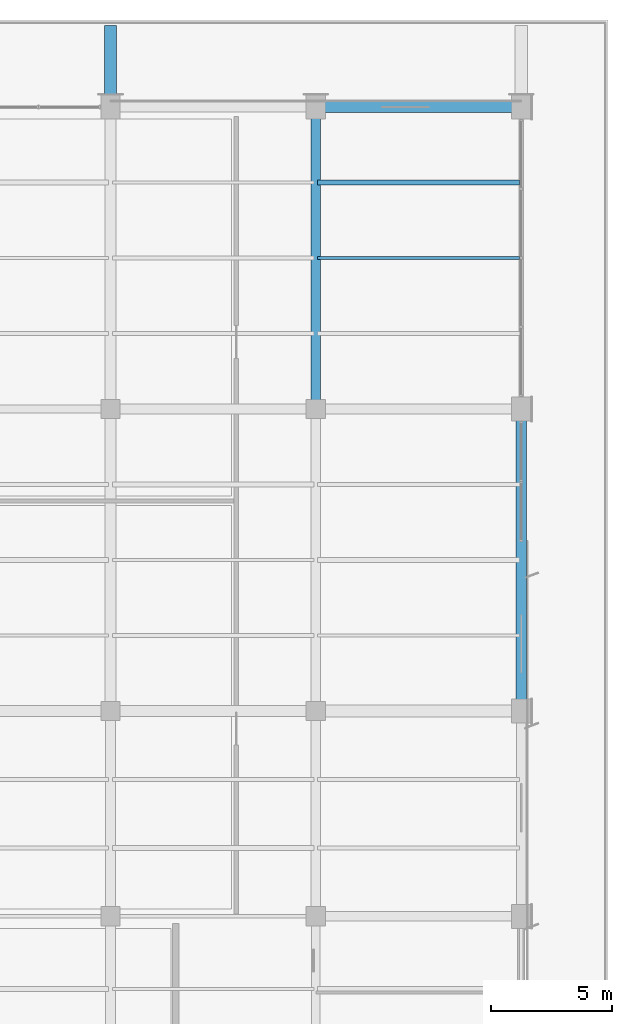
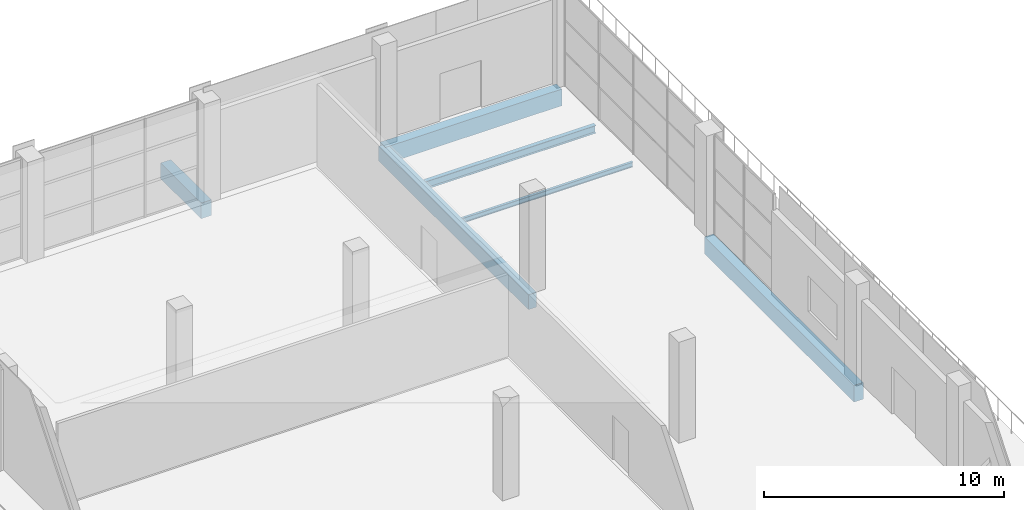
# One storey, part 28 of 90: 6 beams.
"""IFC4 building model written with IfcOpenShell, lengths in metres."""

from ifc_helpers import new_model, si_unit, direction, frame, origin, origin_2d, place, context, subcontext, project, spatial, rectangle, i_section, extrude, material, material_profile, profile_set, type_object, element, save


model = new_model("IFC4")

# Units and contexts
model_context = context("Model", 3, precision=1e-05, world=origin(), true_north=direction((0.0, 1.0)))
body_context = subcontext(model_context, "Body", "Model", "MODEL_VIEW")
ifc_project = project(units=[si_unit("LENGTHUNIT", "METRE"), si_unit("AREAUNIT", "SQUARE_METRE"), si_unit("VOLUMEUNIT", "CUBIC_METRE"), si_unit("PLANEANGLEUNIT", "RADIAN"), si_unit("MASSUNIT", "GRAM", prefix="KILO")], contexts=[model_context])

# Site, building, storey
site_placement = place(None, origin())
site = spatial("IfcSite", under=ifc_project, at=site_placement, CompositionType="ELEMENT")
building_placement = place(site_placement, origin())
building = spatial("IfcBuilding", under=site, at=building_placement, Name="Solvikara Media Centre", CompositionType="ELEMENT")
storey_placement = place(building_placement, origin())
storey = spatial("IfcBuildingStorey", under=building, at=storey_placement, Name="L00", CompositionType="ELEMENT", Elevation=0.0)

# Beams
ifc_material_1 = material(Name="Concrete fc' 35 MPa (C35/45)", Category="concrete")
ifc_material_profile_1 = material_profile(ifc_material_1, rectangle(XDim=0.39990234375, YDim=0.75, at=origin_2d()), Name="RC 400x750")
ifc_profile_set_1 = profile_set([ifc_material_profile_1], Name="Concrete fc' 35 MPa (C35/45)")
beam_type_1 = type_object("IfcBeamType", Name="BM-04", PredefinedType="BEAM", material=ifc_profile_set_1)
beam_1_placement = place(storey_placement, frame((25.5, 101.5, -0.715087890625), z_axis=(0.0, 1.0, 0.0), x_axis=(-1.0, 0.0, 0.0)))
element("IfcBeam", 1, at=beam_1_placement, inside=storey, type_object=beam_type_1, Name="B-L00-Y0148", PredefinedType="BEAM", context=body_context, shape_type="SweptSolid", body=[
    extrude(rectangle(XDim=0.39990234375, YDim=0.75, at=origin_2d()), origin(), (0.0, 0.0, 1.0), 12.5),
])
ifc_material_profile_2 = material_profile(ifc_material_1, rectangle(XDim=0.5, YDim=0.800048828125, at=origin_2d()), Name="RC 500x800")
ifc_profile_set_2 = profile_set([ifc_material_profile_2], Name="Concrete fc' 35 MPa (C35/45)")
beam_type_2 = type_object("IfcBeamType", Name="BM-07", PredefinedType="BEAM", material=ifc_profile_set_2)
beam_2_placement = place(storey_placement, frame((17.0, 114.0, -0.64990234375), z_axis=(0.0, 1.0, 0.0), x_axis=(-1.0, 0.0, 0.0)))
element("IfcBeam", 2, at=beam_2_placement, inside=storey, type_object=beam_type_2, Name="B-L00-PRM-035", PredefinedType="BEAM", context=body_context, shape_type="SweptSolid", body=[
    extrude(rectangle(XDim=0.5, YDim=0.800048828125, at=origin_2d()), origin(), (0.0, 0.0, 1.0), 3.3798828125),
])
ifc_material_profile_3 = material_profile(ifc_material_1, rectangle(XDim=0.449951171875, YDim=0.85009765625, at=origin_2d()), Name="RC 450x850")
ifc_profile_set_3 = profile_set([ifc_material_profile_3], Name="Concrete fc' 35 MPa (C35/45)")
beam_type_3 = type_object("IfcBeamType", Name="BM-14", PredefinedType="SPANDREL", material=ifc_profile_set_3)
beam_3_placement = place(storey_placement, frame((25.5, 114.0, -0.764892578125), z_axis=(1.0, 0.0, 0.0), x_axis=(0.0, 1.0, 0.0)))
element("IfcBeam", 3, at=beam_3_placement, inside=storey, type_object=beam_type_3, Name="B-L00-X0106", PredefinedType="SPANDREL", context=body_context, shape_type="SweptSolid", body=[
    extrude(rectangle(XDim=0.449951171875, YDim=0.85009765625, at=origin_2d()), origin(), (0.0, 0.0, 1.0), 8.5),
])
beam_4_placement = place(storey_placement, frame((34.0, 89.0, -0.764892578125), z_axis=(0.0, 1.0, 0.0), x_axis=(-1.0, 0.0, 0.0)))
element("IfcBeam", 4, at=beam_4_placement, inside=storey, type_object=beam_type_3, Name="B-L00-Y0158", PredefinedType="SPANDREL", context=body_context, shape_type="SweptSolid", body=[
    extrude(rectangle(XDim=0.449951171875, YDim=0.85009765625, at=origin_2d()), origin(), (0.0, 0.0, 1.0), 12.5),
])
ifc_material_2 = material(Name="Steel S355JR", Category="steel")
ifc_material_profile_4 = material_profile(ifc_material_2, i_section(OverallWidth=0.199951171875, OverallDepth=0.39990234375, WebThickness=0.008056640625, FlangeThickness=0.012939453125, at=origin_2d()), Name="WF 400x200x8x13")
ifc_profile_set_4 = profile_set([ifc_material_profile_4], Name="Steel S355JR")
beam_type_4 = type_object("IfcBeamType", Name="BM-21", PredefinedType="JOIST", material=ifc_profile_set_4)
beam_5_placement = place(storey_placement, frame((25.577880859375, 110.875, -0.5419921875), z_axis=(1.0, 0.0, 0.0), x_axis=(0.0, 1.0, 0.0)))
element("IfcBeam", 5, at=beam_5_placement, inside=storey, type_object=beam_type_4, Name="J-L00-0329", PredefinedType="JOIST", context=body_context, shape_type="SweptSolid", body=[
    extrude(i_section(OverallWidth=0.199951171875, OverallDepth=0.39990234375, WebThickness=0.008056640625, FlangeThickness=0.012939453125, at=origin_2d()), origin(), (0.0, 0.0, 1.0), 8.34423828125),
])
ifc_material_profile_5 = material_profile(ifc_material_2, i_section(OverallWidth=0.1240234375, OverallDepth=0.248046875, WebThickness=0.0048828125, FlangeThickness=0.008056640625, at=origin_2d()), Name="WF 248x124x5x8")
ifc_profile_set_5 = profile_set([ifc_material_profile_5], Name="Steel S355JR")
beam_type_5 = type_object("IfcBeamType", Name="BM-40", PredefinedType="JOIST", material=ifc_profile_set_5)
beam_6_placement = place(storey_placement, frame((25.577880859375, 107.75, -0.466064453125), z_axis=(1.0, 0.0, 0.0), x_axis=(0.0, 1.0, 0.0)))
element("IfcBeam", 6, at=beam_6_placement, inside=storey, type_object=beam_type_5, Name="J-L00-0328", PredefinedType="JOIST", context=body_context, shape_type="SweptSolid", body=[
    extrude(i_section(OverallWidth=0.1240234375, OverallDepth=0.248046875, WebThickness=0.0048828125, FlangeThickness=0.008056640625, at=origin_2d()), origin(), (0.0, 0.0, 1.0), 8.34423828125),
])

save(model, "model.ifc")
